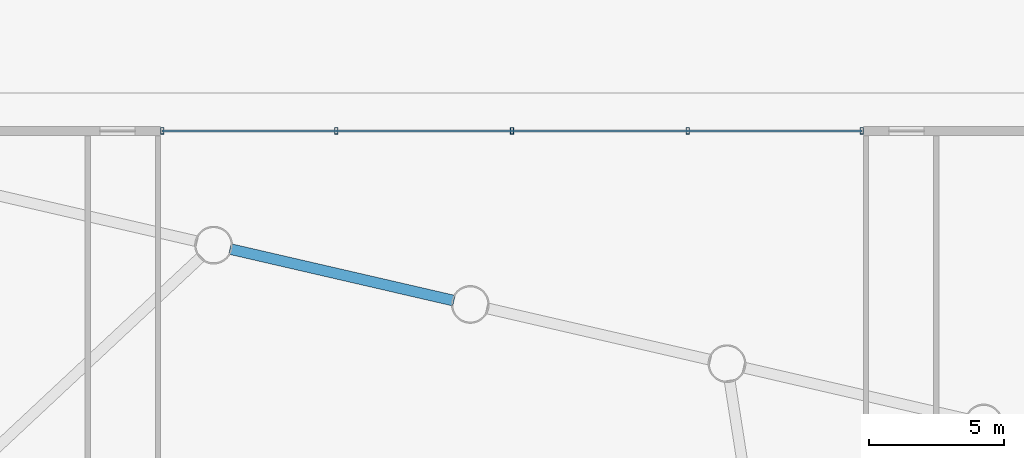
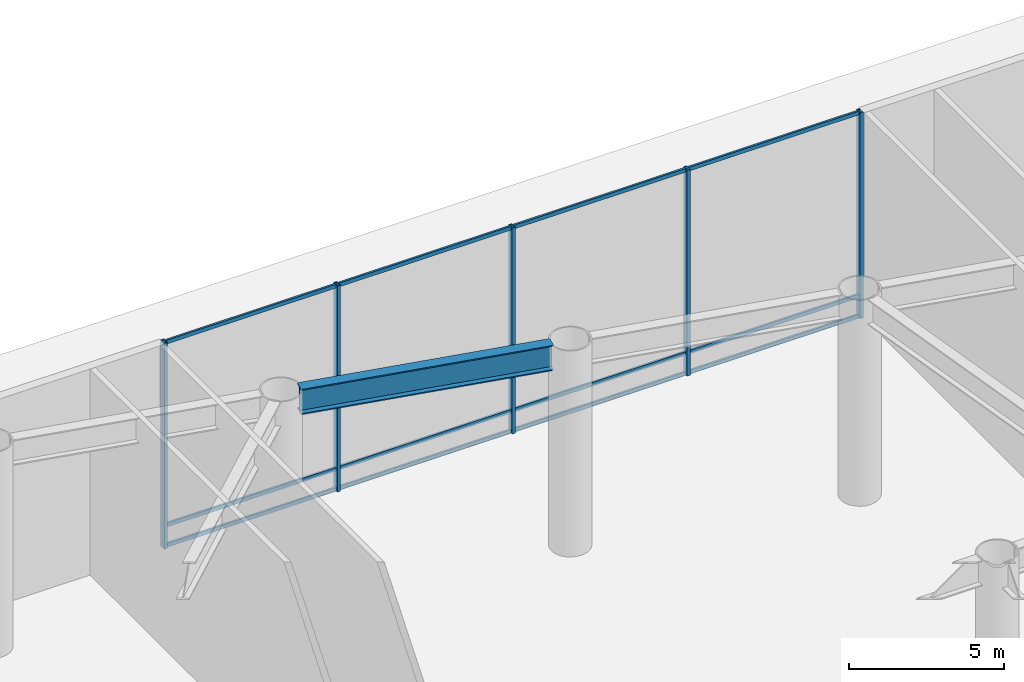
# One storey, part 18 of 28: 8 members, 1 beam, 1 element without a shape of its own.
"""IFC4 building model written with IfcOpenShell, lengths in metres."""

from ifc_helpers import new_model, si_unit, direction, frame, origin, origin_2d, place, context, subcontext, project, spatial, hollow_rectangle, i_section, extrude, material, layer, layer_set, material_profile, profile_set, type_object, element, aggregate, save


model = new_model("IFC4")

# Units and contexts
model_context = context("Model", 3, precision=1e-05, world=origin(), true_north=direction((0.0, 1.0)))
body_context = subcontext(model_context, "Body", "Model", "MODEL_VIEW")
ifc_project = project(units=[si_unit("LENGTHUNIT", "METRE"), si_unit("AREAUNIT", "SQUARE_METRE"), si_unit("VOLUMEUNIT", "CUBIC_METRE"), si_unit("PLANEANGLEUNIT", "RADIAN"), si_unit("MASSUNIT", "GRAM", prefix="KILO")], contexts=[model_context])

# Site, building, storey
site_placement = place(None, origin())
site = spatial("IfcSite", under=ifc_project, at=site_placement, CompositionType="ELEMENT")
building_placement = place(site_placement, origin())
building = spatial("IfcBuilding", under=site, at=building_placement, Name="Tavrogorsk Clinical Tower", CompositionType="ELEMENT")
storey_placement = place(building_placement, origin())
storey = spatial("IfcBuildingStorey", under=building, at=storey_placement, Name="L00", CompositionType="ELEMENT", Elevation=0.0)

# Curtain wall, members
ifc_material_1 = material(Name="Anodised aluminium and triple IGU glazing", Category="aluminium")
ifc_layer = layer(ifc_material_1, 0.179931640625)
ifc_layer_set = layer_set([ifc_layer], Name="Anodised aluminium and triple IGU glazing")
curtain_wall_type = type_object("IfcCurtainWallType", Name="CW1_LobbyStick", PredefinedType="NOTDEFINED", material=ifc_layer_set)
curtain_wall_placement = place(storey_placement, origin())
curtain_wall = element("IfcCurtainWall", 1, at=curtain_wall_placement, inside=storey, type_object=curtain_wall_type, Name="L00 Curtain Wall CW-L00-N1", PredefinedType="NOTDEFINED")
ifc_material_2 = material(Name="Anodised aluminium alloy AW-6060", Category="aluminium")
ifc_material_profile_1 = material_profile(ifc_material_2, hollow_rectangle(XDim=0.1201171875, YDim=0.239990234375, WallThickness=0.008056640625, at=origin_2d()), Name="RHS-240x120x8")
ifc_profile_set_1 = profile_set([ifc_material_profile_1], Name="Anodised aluminium alloy AW-6060")
member_type_1 = type_object("IfcMemberType", Name="CwMullion_240x120", PredefinedType="MULLION", material=ifc_profile_set_1)
member_1_placement = place(storey_placement, frame((12.944091796875, 30.0, 0.0), z_axis=(0.0, 0.0, 1.0), x_axis=(-1.0, 0.0, 0.0)))
member_1 = element("IfcMember", 2, at=member_1_placement, type_object=member_type_1, Name="CW-L00-N1 Mullion 1", PredefinedType="MULLION", context=body_context, shape_type="SweptSolid", body=[
    extrude(hollow_rectangle(XDim=0.1201171875, YDim=0.239990234375, WallThickness=0.008056640625, at=origin_2d()), origin(), (0.0, 0.0, 1.0), 8.10009765625),
])
member_2_placement = place(storey_placement, frame((6.501953125, 30.0, 0.0), z_axis=(0.0, 0.0, 1.0), x_axis=(-1.0, 0.0, 0.0)))
member_2 = element("IfcMember", 3, at=member_2_placement, type_object=member_type_1, Name="CW-L00-N1 Mullion 2", PredefinedType="MULLION", context=body_context, shape_type="SweptSolid", body=[
    extrude(hollow_rectangle(XDim=0.1201171875, YDim=0.239990234375, WallThickness=0.008056640625, at=origin_2d()), origin(), (0.0, 0.0, 1.0), 8.10009765625),
])
member_3_placement = place(storey_placement, frame((0.0, 30.0, 0.0), z_axis=(0.0, 0.0, 1.0), x_axis=(-1.0, 0.0, 0.0)))
member_3 = element("IfcMember", 4, at=member_3_placement, type_object=member_type_1, Name="CW-L00-N1 Mullion 3", PredefinedType="MULLION", context=body_context, shape_type="SweptSolid", body=[
    extrude(hollow_rectangle(XDim=0.1201171875, YDim=0.239990234375, WallThickness=0.008056640625, at=origin_2d()), origin(), (0.0, 0.0, 1.0), 8.10009765625),
])
member_4_placement = place(storey_placement, frame((-6.501953125, 30.0, 0.0), z_axis=(0.0, 0.0, 1.0), x_axis=(-1.0, 0.0, 0.0)))
member_4 = element("IfcMember", 5, at=member_4_placement, type_object=member_type_1, Name="CW-L00-N1 Mullion 4", PredefinedType="MULLION", context=body_context, shape_type="SweptSolid", body=[
    extrude(hollow_rectangle(XDim=0.1201171875, YDim=0.239990234375, WallThickness=0.008056640625, at=origin_2d()), origin(), (0.0, 0.0, 1.0), 8.10009765625),
])
member_5_placement = place(storey_placement, frame((-12.944091796875, 30.0, 0.0), z_axis=(0.0, 0.0, 1.0), x_axis=(-1.0, 0.0, 0.0)))
member_5 = element("IfcMember", 6, at=member_5_placement, type_object=member_type_1, Name="CW-L00-N1 Mullion 5", PredefinedType="MULLION", context=body_context, shape_type="SweptSolid", body=[
    extrude(hollow_rectangle(XDim=0.1201171875, YDim=0.239990234375, WallThickness=0.008056640625, at=origin_2d()), origin(), (0.0, 0.0, 1.0), 8.10009765625),
])
ifc_material_3 = material(Name="Anodised aluminium alloy AW-6060", Category="aluminium")
ifc_material_profile_2 = material_profile(ifc_material_3, hollow_rectangle(XDim=0.074951171875, YDim=0.14990234375, WallThickness=0.0048828125, at=origin_2d()), Name="RHS-150x75x5")
ifc_profile_set_2 = profile_set([ifc_material_profile_2], Name="Anodised aluminium alloy AW-6060")
member_type_2 = type_object("IfcMemberType", Name="CwTransom_150x75", PredefinedType="USERDEFINED", material=ifc_profile_set_2)
member_6_placement = place(storey_placement, frame((12.944091796875, 30.0, 0.050048828125), z_axis=(-1.0, 0.0, 0.0), x_axis=(0.0, -1.0, 0.0)))
member_6 = element("IfcMember", 7, at=member_6_placement, type_object=member_type_2, Name="CW-L00-N1 Transom 1", ObjectType="TRANSOM", PredefinedType="USERDEFINED", context=body_context, shape_type="SweptSolid", body=[
    extrude(hollow_rectangle(XDim=0.074951171875, YDim=0.14990234375, WallThickness=0.0048828125, at=origin_2d()), origin(), (0.0, 0.0, 1.0), 25.88818359375),
])
member_7_placement = place(storey_placement, frame((12.944091796875, 30.0, 0.85009765625), z_axis=(-1.0, 0.0, 0.0), x_axis=(0.0, -1.0, 0.0)))
member_7 = element("IfcMember", 8, at=member_7_placement, type_object=member_type_2, Name="CW-L00-N1 Transom 2", ObjectType="TRANSOM", PredefinedType="USERDEFINED", context=body_context, shape_type="SweptSolid", body=[
    extrude(hollow_rectangle(XDim=0.074951171875, YDim=0.14990234375, WallThickness=0.0048828125, at=origin_2d()), origin(), (0.0, 0.0, 1.0), 25.88818359375),
])
member_8_placement = place(storey_placement, frame((12.944091796875, 30.0, 8.050048828125), z_axis=(-1.0, 0.0, 0.0), x_axis=(0.0, -1.0, 0.0)))
member_8 = element("IfcMember", 9, at=member_8_placement, type_object=member_type_2, Name="CW-L00-N1 Transom 3", ObjectType="TRANSOM", PredefinedType="USERDEFINED", context=body_context, shape_type="SweptSolid", body=[
    extrude(hollow_rectangle(XDim=0.074951171875, YDim=0.14990234375, WallThickness=0.0048828125, at=origin_2d()), origin(), (0.0, 0.0, 1.0), 25.88818359375),
])
aggregate(curtain_wall, [member_1, member_2, member_3, member_4, member_5, member_6, member_7, member_8])

# Beam
ifc_material_4 = material(Name="Structural steel S440", Category="steel")
ifc_material_profile_3 = material_profile(ifc_material_4, i_section(OverallWidth=0.39990234375, OverallDepth=1.0, WebThickness=0.028076171875, FlangeThickness=0.044921875, at=origin_2d()), Name="DK-1000x400x28x45")
ifc_profile_set_3 = profile_set([ifc_material_profile_3], Name="Structural steel S440")
beam_type = type_object("IfcBeamType", Name="TransferGirder_DK1000", PredefinedType="USERDEFINED", material=ifc_profile_set_3)
beam_placement = place(storey_placement, frame((-2.147705078125, 23.71728515625, 7.60009765625), z_axis=(-0.974368945516, 0.224955902375, 0.0), x_axis=(-0.224955902375, -0.974368945516, 0.0)))
element("IfcBeam", 10, at=beam_placement, inside=storey, type_object=beam_type, Name="L00 Perimeter Stilt Ring Girder N5-N6", ObjectType="GIRDER", PredefinedType="USERDEFINED", context=body_context, shape_type="SweptSolid", body=[
    extrude(i_section(OverallWidth=0.39990234375, OverallDepth=1.0, WebThickness=0.028076171875, FlangeThickness=0.044921875, at=origin_2d()), origin(), (0.0, 0.0, 1.0), 8.508544921875),
])

save(model, "model.ifc")
